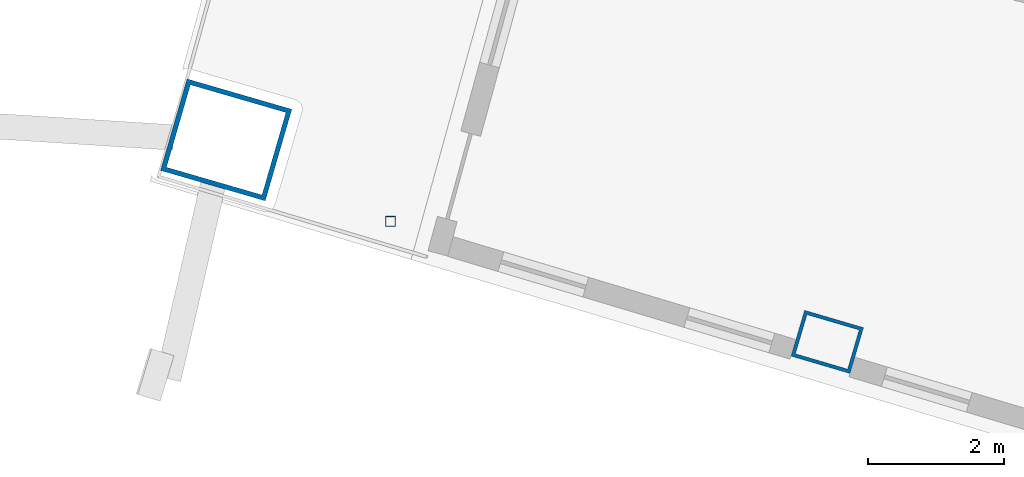
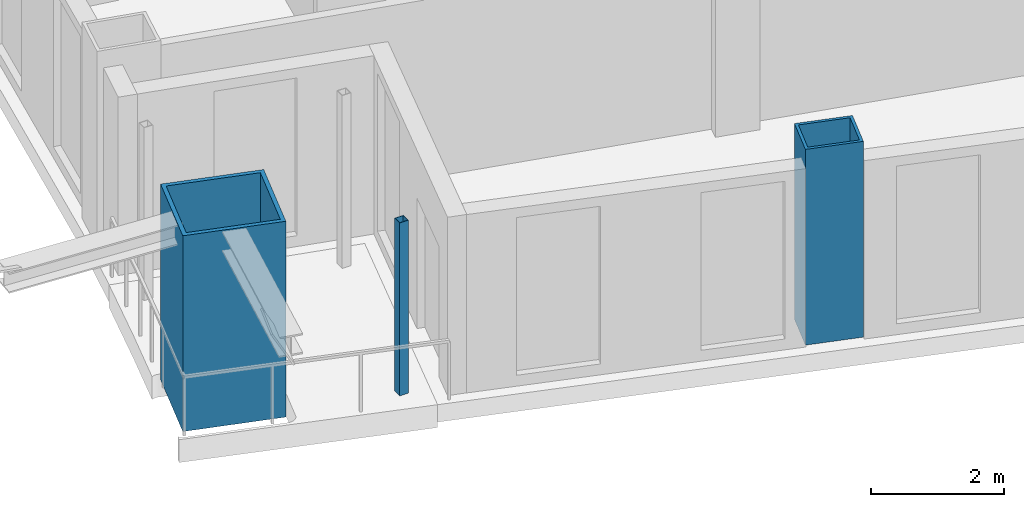
# One storey, part 1 of 20: 3 columns.
"""IFC4 building model written with IfcOpenShell, lengths in metres."""

from ifc_helpers import new_model, si_unit, direction, frame, origin, origin_2d, place, context, subcontext, project, spatial, hollow_rectangle, extrude, material, material_profile, profile_set, type_object, element, save


model = new_model("IFC4")

# Units and contexts
model_context = context("Model", 3, precision=1e-05, world=origin(), true_north=direction((0.0, 1.0)))
body_context = subcontext(model_context, "Body", "Model", "MODEL_VIEW")
ifc_project = project(units=[si_unit("LENGTHUNIT", "METRE"), si_unit("AREAUNIT", "SQUARE_METRE"), si_unit("VOLUMEUNIT", "CUBIC_METRE"), si_unit("PLANEANGLEUNIT", "RADIAN"), si_unit("MASSUNIT", "GRAM", prefix="KILO")], contexts=[model_context])

# Site, building, storey
site_placement = place(None, origin())
site = spatial("IfcSite", under=ifc_project, at=site_placement, CompositionType="ELEMENT")
building_placement = place(site_placement, origin())
building = spatial("IfcBuilding", under=site, at=building_placement, Name="Alderwake Tower", CompositionType="ELEMENT")
storey_placement = place(building_placement, frame((0.0, 0.0, 263.60009765625)))
storey = spatial("IfcBuildingStorey", under=building, at=storey_placement, Name="L65", CompositionType="ELEMENT", Elevation=263.60009765625)

# Columns
ifc_material_1 = material(Name="Steel ASTM A572 Grade 50 concrete filled C70/85", Category="concrete")
ifc_material_profile_1 = material_profile(ifc_material_1, hollow_rectangle(XDim=0.699951171875, YDim=0.89990234375, WallThickness=0.050048828125, at=origin_2d()), Name="BOX 900X700X50")
ifc_profile_set_1 = profile_set([ifc_material_profile_1], Name="Steel ASTM A572 Grade 50 concrete filled C70/85")
column_type_1 = type_object("IfcColumnType", Name="End column Z5", PredefinedType="COLUMN", material=ifc_profile_set_1)
column_1_placement = place(storey_placement, frame((21.885498046875, 31.03759765625, 0.0), z_axis=(0.0, 0.0, 1.0), x_axis=(0.282132160283, 0.95937554906, 0.0)))
element("IfcColumn", 1, at=column_1_placement, inside=storey, type_object=column_type_1, Name="Column R02-C1", PredefinedType="COLUMN", context=body_context, shape_type="SweptSolid", body=[
    extrude(hollow_rectangle(XDim=0.699951171875, YDim=0.89990234375, WallThickness=0.050048828125, at=origin_2d()), origin(), (0.0, 0.0, 1.0), 3.599853515625),
])
ifc_material_2 = material(Name="Steel ASTM A500 Grade C", Category="steel")
ifc_material_profile_2 = material_profile(ifc_material_2, hollow_rectangle(XDim=0.15234375, YDim=0.15234375, WallThickness=0.0087890625, at=origin_2d()), Name="HSS6X6X3/8")
ifc_profile_set_2 = profile_set([ifc_material_profile_2], Name="Steel ASTM A500 Grade C")
column_type_2 = type_object("IfcColumnType", Name="Light post HSS6X6X3/8", PredefinedType="COLUMN", material=ifc_profile_set_2)
column_2_placement = place(storey_placement, frame((15.47412109375, 32.805908203125, 0.0), z_axis=(0.0, 0.0, 1.0), x_axis=(1.0, 0.0, 0.0)))
element("IfcColumn", 2, at=column_2_placement, inside=storey, type_object=column_type_2, Name="Terrace post RS2", PredefinedType="COLUMN", context=body_context, shape_type="SweptSolid", body=[
    extrude(hollow_rectangle(XDim=0.15234375, YDim=0.15234375, WallThickness=0.0087890625, at=origin_2d()), origin(), (0.0, 0.0, 1.0), 3.179931640625),
])
ifc_material_3 = material(Name="Steel ASTM A572 Grade 50 concrete filled C70/85", Category="concrete")
ifc_material_profile_3 = material_profile(ifc_material_3, hollow_rectangle(XDim=1.39990234375, YDim=1.60009765625, WallThickness=0.070068359375, at=origin_2d()), Name="BOX 1600X1400X70")
ifc_profile_set_3 = profile_set([ifc_material_profile_3], Name="Steel ASTM A572 Grade 50 concrete filled C70/85")
column_type_3 = type_object("IfcColumnType", Name="Mega column Z5", PredefinedType="COLUMN", material=ifc_profile_set_3)
column_3_placement = place(storey_placement, frame((13.06298828125, 34.00244140625, 0.0), z_axis=(0.0, 0.0, 1.0), x_axis=(0.278612301868, 0.960403657452, 0.0)))
element("IfcColumn", 3, at=column_3_placement, inside=storey, type_object=column_type_3, Name="Column R02-C0", PredefinedType="COLUMN", context=body_context, shape_type="SweptSolid", body=[
    extrude(hollow_rectangle(XDim=1.39990234375, YDim=1.60009765625, WallThickness=0.070068359375, at=origin_2d()), origin(), (0.0, 0.0, 1.0), 3.599853515625),
])

save(model, "model.ifc")
